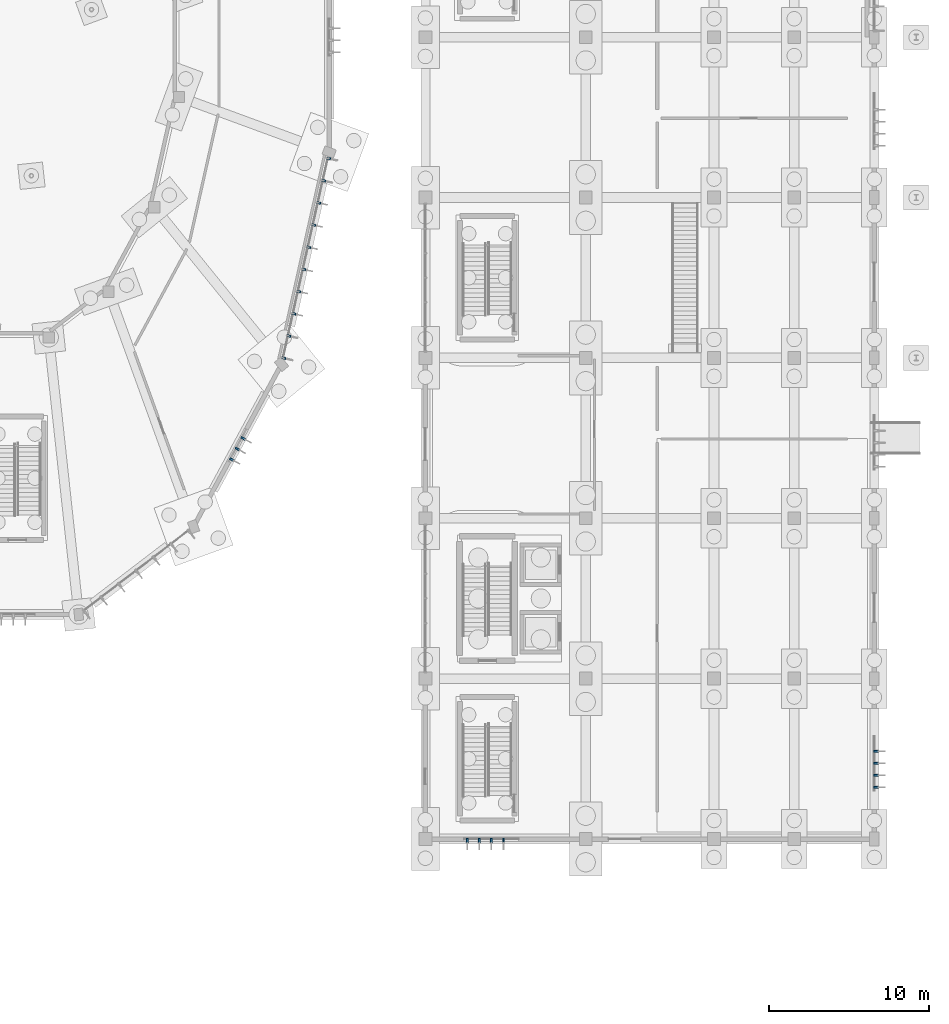
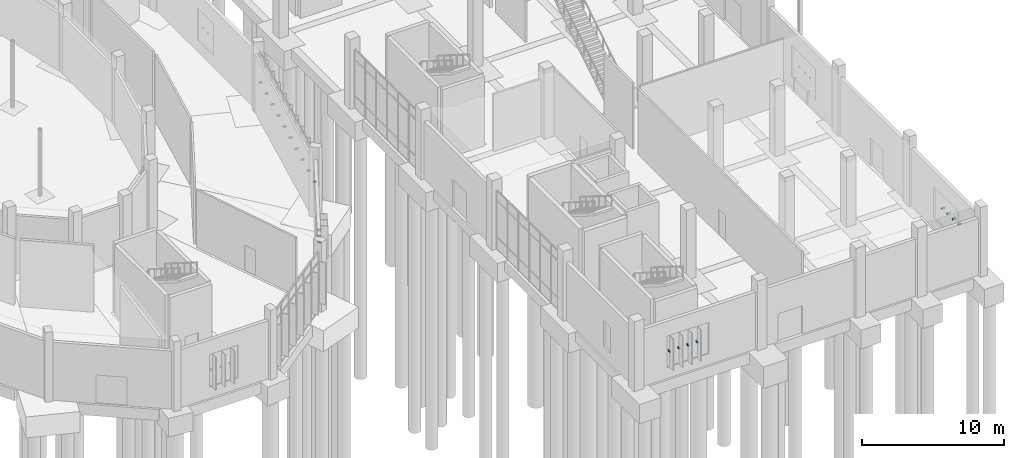
# One storey, part 104 of 140: 21 discrete accessories.
"""IFC4 building model written with IfcOpenShell, lengths in metres."""

from ifc_helpers import new_model, si_unit, direction, frame, origin, origin_2d, place, context, subcontext, project, spatial, rectangle, extrude, material, type_object, element, save


model = new_model("IFC4")

# Units and contexts
model_context = context("Model", 3, precision=1e-05, world=origin(), true_north=direction((0.0, 1.0)))
body_context = subcontext(model_context, "Body", "Model", "MODEL_VIEW")
ifc_project = project(units=[si_unit("LENGTHUNIT", "METRE"), si_unit("AREAUNIT", "SQUARE_METRE"), si_unit("VOLUMEUNIT", "CUBIC_METRE"), si_unit("PLANEANGLEUNIT", "RADIAN"), si_unit("MASSUNIT", "GRAM", prefix="KILO")], contexts=[model_context])

# Site, building, storey
site_placement = place(None, origin())
site = spatial("IfcSite", under=ifc_project, at=site_placement, CompositionType="ELEMENT")
building_placement = place(site_placement, origin())
building = spatial("IfcBuilding", under=site, at=building_placement, Name="Corvandel Quay Wholesale Market", CompositionType="ELEMENT")
storey_placement = place(building_placement, origin())
storey = spatial("IfcBuildingStorey", under=building, at=storey_placement, Name="L00", CompositionType="ELEMENT", Elevation=0.0)

# Discrete accessories
ifc_material = material(Name="Austenitic stainless steel Grade 316", Category="steel")
discrete_accessory_type = type_object("IfcDiscreteAccessoryType", Name="Stainless Solar Fin Fixing Bracket BRK01", PredefinedType="USERDEFINED", material=ifc_material)
for number, where, z_axis, x_axis, name in (
    (1, (207.92431640625, 33.661865234375, 2.2802734375), (0.0, 0.0, 1.0), (-0.879316310191, 0.476238203668, 0.0), "Fin Bracket 0650"),
    (2, (208.281494140625, 34.3212890625, 2.2802734375), (0.0, 0.0, 1.0), (-0.879316310191, 0.476238203668, 0.0), "Fin Bracket 0651"),
    (3, (208.638671875, 34.98095703125, 2.2802734375), (0.0, 0.0, 1.0), (-0.879316310191, 0.476238203668, 0.0), "Fin Bracket 0652"),
):
    element("IfcDiscreteAccessory", number, at=place(storey_placement, frame(where, z_axis=z_axis, x_axis=x_axis)), inside=storey, type_object=discrete_accessory_type, Name=name, ObjectType="BRACKET", PredefinedType="USERDEFINED", context=body_context, shape_type="SweptSolid", body=[
        extrude(rectangle(XDim=0.280029296875, YDim=0.1201171875, at=origin_2d()), origin(), (0.0, 0.0, 1.0), 0.139892578125),
    ])
for number, where, z_axis, x_axis, name in (
    (4, (211.177001953125, 39.985107421875, 2.5048828125), (0.0, 0.0, 1.0), (-0.975726024471, 0.218994806262, 0.0), "Fin Bracket 0664"),
    (5, (211.487548828125, 41.368408203125, 2.5048828125), (0.0, 0.0, 1.0), (-0.975726024471, 0.218994806262, 0.0), "Fin Bracket 0665"),
    (6, (211.798095703125, 42.751953125, 2.5048828125), (0.0, 0.0, 1.0), (-0.975726024471, 0.218994806262, 0.0), "Fin Bracket 0666"),
    (7, (212.1083984375, 44.13525390625, 2.5048828125), (0.0, 0.0, 1.0), (-0.975726024471, 0.218994806262, 0.0), "Fin Bracket 0667"),
    (8, (212.418701171875, 45.518798828125, 2.5048828125), (0.0, 0.0, 1.0), (-0.975726024471, 0.218994806262, 0.0), "Fin Bracket 0668"),
    (9, (212.729248046875, 46.902099609375, 2.5048828125), (0.0, 0.0, 1.0), (-0.975726024471, 0.218994806262, 0.0), "Fin Bracket 0669"),
    (10, (213.039794921875, 48.285400390625, 2.5048828125), (0.0, 0.0, 1.0), (-0.975726024471, 0.218994806262, 0.0), "Fin Bracket 0670"),
    (11, (213.35009765625, 49.668701171875, 2.5048828125), (0.0, 0.0, 1.0), (-0.975726024471, 0.218994806262, 0.0), "Fin Bracket 0671"),
    (12, (213.660400390625, 51.05224609375, 2.5048828125), (0.0, 0.0, 1.0), (-0.975726024471, 0.218994806262, 0.0), "Fin Bracket 0672"),
    (13, (213.970947265625, 52.435546875, 2.5048828125), (0.0, 0.0, 1.0), (-0.975726024471, 0.218994806262, 0.0), "Fin Bracket 0673"),
):
    element("IfcDiscreteAccessory", number, at=place(storey_placement, frame(where, z_axis=z_axis, x_axis=x_axis)), inside=storey, type_object=discrete_accessory_type, Name=name, ObjectType="BRACKET", PredefinedType="USERDEFINED", context=body_context, shape_type="SweptSolid", body=[
        extrude(rectangle(XDim=0.239990234375, YDim=0.1201171875, at=origin_2d()), origin(), (0.0, 0.0, 1.0), 0.139892578125),
    ])
for number, where, z_axis, x_axis, name in (
    (14, (248.10009765625, 13.219970703125, 2.18017578125), (0.0, 0.0, 1.0), (1.0, 0.0, 0.0), "Fin Bracket 0755"),
    (15, (248.10009765625, 13.969970703125, 2.18017578125), (0.0, 0.0, 1.0), (1.0, 0.0, 0.0), "Fin Bracket 0756"),
    (16, (248.10009765625, 14.719970703125, 2.18017578125), (0.0, 0.0, 1.0), (1.0, 0.0, 0.0), "Fin Bracket 0757"),
    (17, (248.10009765625, 15.469970703125, 2.18017578125), (0.0, 0.0, 1.0), (1.0, 0.0, 0.0), "Fin Bracket 0758"),
    (18, (222.6201171875, 9.89990234375, 2.22998046875), (0.0, 0.0, 1.0), (0.0, 1.0, 0.0), "Fin Bracket 0792"),
    (19, (223.3701171875, 9.89990234375, 2.22998046875), (0.0, 0.0, 1.0), (0.0, 1.0, 0.0), "Fin Bracket 0793"),
    (20, (224.1201171875, 9.89990234375, 2.22998046875), (0.0, 0.0, 1.0), (0.0, 1.0, 0.0), "Fin Bracket 0794"),
    (21, (224.8701171875, 9.89990234375, 2.22998046875), (0.0, 0.0, 1.0), (0.0, 1.0, 0.0), "Fin Bracket 0795"),
):
    element("IfcDiscreteAccessory", number, at=place(storey_placement, frame(where, z_axis=z_axis, x_axis=x_axis)), inside=storey, type_object=discrete_accessory_type, Name=name, ObjectType="BRACKET", PredefinedType="USERDEFINED", context=body_context, shape_type="SweptSolid", body=[
        extrude(rectangle(XDim=0.280029296875, YDim=0.1201171875, at=origin_2d()), origin(), (0.0, 0.0, 1.0), 0.139892578125),
    ])

save(model, "model.ifc")
